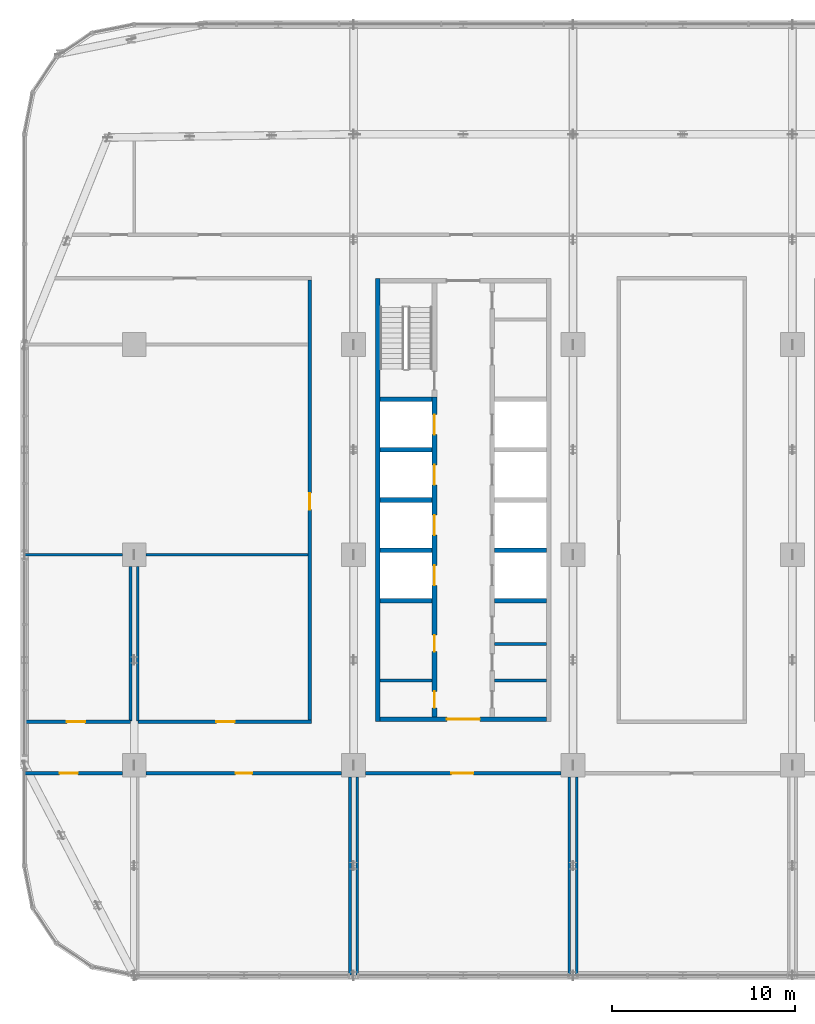
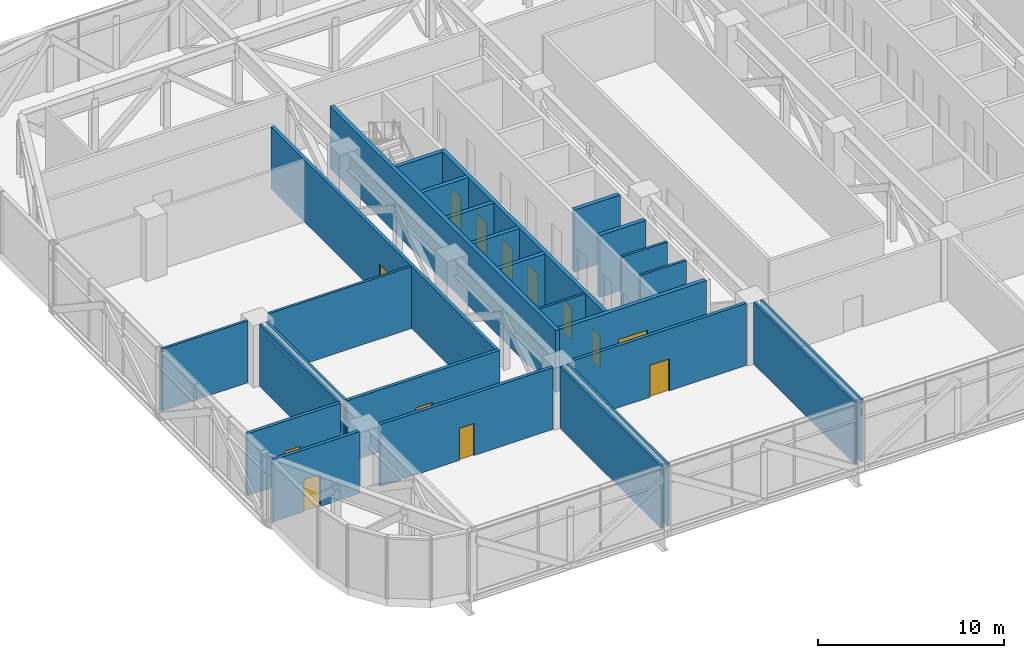
# One storey, part 16 of 30: 27 walls, 13 doors, 13 openings.
"""IFC4 building model written with IfcOpenShell, lengths in metres."""

from ifc_helpers import new_model, si_unit, direction, frame, frame_2d, origin, place, context, subcontext, project, spatial, rectangle, extrude, material, layer, layer_set, type_object, element, fill, save


model = new_model("IFC4")

# Units and contexts
model_context = context("Model", 3, precision=1e-05, world=origin(), true_north=direction((0.0, 1.0)))
body_context = subcontext(model_context, "Body", "Model", "MODEL_VIEW")
ifc_project = project(units=[si_unit("LENGTHUNIT", "METRE"), si_unit("AREAUNIT", "SQUARE_METRE"), si_unit("VOLUMEUNIT", "CUBIC_METRE"), si_unit("PLANEANGLEUNIT", "RADIAN"), si_unit("MASSUNIT", "GRAM", prefix="KILO")], contexts=[model_context])

# Site, building, storey
site_placement = place(None, origin())
site = spatial("IfcSite", under=ifc_project, at=site_placement, CompositionType="ELEMENT")
building_placement = place(site_placement, origin())
building = spatial("IfcBuilding", under=site, at=building_placement, Name="Mahtab Terrace Research Tower", CompositionType="ELEMENT")
storey_placement = place(building_placement, frame((0.0, 0.0, 154.800048828125)))
storey = spatial("IfcBuildingStorey", under=building, at=storey_placement, Name="L36", CompositionType="ELEMENT", Elevation=154.800048828125)

# Walls
ifc_material_1 = material(Name="Gypsum board partition")
ifc_layer_1 = layer(ifc_material_1, 0.14990234375)
ifc_layer_set_1 = layer_set([ifc_layer_1], Name="Core partition 150")
wall_type_1 = type_object("IfcWallType", Name="Core partition 150", PredefinedType="PARTITIONING", material=ifc_layer_set_1)
for number, where, z_axis, x_axis, name in (
    (1, (-28.550048828125, -6.875, 0.0), (0.0, 0.0, 1.0), (1.0, 0.0, 0.0), "Core wall A pWS-988"),
    (2, (-22.300048828125, -6.875, 0.0), (0.0, 0.0, 1.0), (1.0, 0.0, 0.0), "Core wall A pES-988"),
    (3, (-22.300048828125, -4.875, 0.0), (0.0, 0.0, 1.0), (1.0, 0.0, 0.0), "Core wall A pES-788"),
):
    element("IfcWall", number, at=place(storey_placement, frame(where, z_axis=z_axis, x_axis=x_axis)), inside=storey, type_object=wall_type_1, Name=name, PredefinedType="PARTITIONING", context=body_context, shape_type="SweptSolid", body=[
        extrude(rectangle(XDim=2.85009765625, YDim=0.14990234375, at=frame_2d((1.425048828125, 0.0))), origin(), (0.0, 0.0, 1.0), 4.06005859375),
    ])
ifc_material_2 = material(Name="Concrete C70/85", Category="concrete")
ifc_layer_2 = layer(ifc_material_2, 0.25)
ifc_layer_set_2 = layer_set([ifc_layer_2], Name="Core wall 250")
wall_type_2 = type_object("IfcWallType", Name="Core wall 250", PredefinedType="SOLIDWALL", material=ifc_layer_set_2)
wall_1_placement = place(storey_placement, frame((-28.675048828125, 15.125, 0.0), z_axis=(0.0, 0.0, 1.0), x_axis=(0.0, -1.0, 0.0)))
element("IfcWall", 4, at=wall_1_placement, inside=storey, type_object=wall_type_2, Name="Core wall A outerW", PredefinedType="SOLIDWALL", context=body_context, shape_type="SweptSolid", body=[
    extrude(rectangle(XDim=24.25, YDim=0.25, at=frame_2d((12.125, 0.0))), origin(), (0.0, 0.0, 1.0), 4.06005859375),
])

# Wall, opening, door
wall_2_placement = place(storey_placement, frame((-19.449951171875, -9.0, 0.0), z_axis=(0.0, 0.0, 1.0), x_axis=(-1.0, 0.0, 0.0)))
wall_2 = element("IfcWall", 5, at=wall_2_placement, inside=storey, type_object=wall_type_2, Name="Core wall A endS", PredefinedType="SOLIDWALL", context=body_context, shape_type="SweptSolid", body=[
    extrude(rectangle(XDim=9.10009765625, YDim=0.25, at=frame_2d((4.550048828125, 0.0))), origin(), (0.0, 0.0, 1.0), 4.06005859375),
])
opening_1_placement = place(wall_2_placement, frame((3.64990234375, 0.0, 0.0)))
opening_1 = element("IfcOpeningElement", 6, at=opening_1_placement, cuts=wall_2, Name="Opening A-S1", PredefinedType="OPENING", context=body_context, shape_type="SweptSolid", body=[
    extrude(rectangle(XDim=1.800048828125, YDim=2.10009765625, at=frame_2d((0.89990234375, 1.050048828125))), frame((0.0, 0.135009765625, 0.0), z_axis=(0.0, -1.0, 0.0), x_axis=(1.0, 0.0, 0.0)), (0.0, 0.0, 1.0), 0.27001953125),
])
ifc_material_3 = material(Name="Steel fire door", Category="steel")
door_type_1 = type_object("IfcDoorType", Name="Lobby double door 1800x2100 1 HR", OperationType="DOUBLE_DOOR_SINGLE_SWING", PredefinedType="DOOR", material=ifc_material_3)
door_1_placement = place(opening_1_placement, origin())
door_1 = element("IfcDoor", 7, at=door_1_placement, inside=storey, type_object=door_type_1, Name="Core entrance door A S", OperationType="DOUBLE_DOOR_SINGLE_SWING", OverallHeight=2.10009765625, OverallWidth=1.800048828125, PredefinedType="DOOR", context=body_context, shape_type="SweptSolid", body=[
    extrude(rectangle(XDim=1.800048828125, YDim=2.10009765625, at=frame_2d((0.89990234375, 1.050048828125))), frame((0.0, 0.02490234375, 0.0), z_axis=(0.0, -1.0, 0.0), x_axis=(1.0, 0.0, 0.0)), (0.0, 0.0, 1.0), 0.050048828125),
])
fill(opening_1, door_1)

# Wall, openings, doors
wall_3_placement = place(storey_placement, frame((-25.574951171875, -8.875, 0.0), z_axis=(0.0, 0.0, 1.0), x_axis=(0.0, 1.0, 0.0)))
wall_3 = element("IfcWall", 8, at=wall_3_placement, inside=storey, type_object=wall_type_2, Name="Core wall A innerWSL", PredefinedType="SOLIDWALL", context=body_context, shape_type="SweptSolid", body=[
    extrude(rectangle(XDim=17.5, YDim=0.25, at=frame_2d((8.75, 0.0))), origin(), (0.0, 0.0, 1.0), 4.06005859375),
])
opening_2_placement = place(wall_3_placement, frame((7.199951171875, 0.0, 0.0)))
opening_2 = element("IfcOpeningElement", 9, at=opening_2_placement, cuts=wall_3, Name="Opening LD01-L36", PredefinedType="OPENING", context=body_context, shape_type="SweptSolid", body=[
    extrude(rectangle(XDim=1.10009765625, YDim=2.10009765625, at=frame_2d((0.550048828125, 1.050048828125))), frame((0.0, 0.135009765625, 0.0), z_axis=(0.0, -1.0, 0.0), x_axis=(1.0, 0.0, 0.0)), (0.0, 0.0, 1.0), 0.27001953125),
])
opening_3_placement = place(wall_3_placement, frame((9.949951171875, 0.0, 0.0)))
opening_3 = element("IfcOpeningElement", 10, at=opening_3_placement, cuts=wall_3, Name="Opening LD02-L36", PredefinedType="OPENING", context=body_context, shape_type="SweptSolid", body=[
    extrude(rectangle(XDim=1.10009765625, YDim=2.10009765625, at=frame_2d((0.550048828125, 1.050048828125))), frame((0.0, 0.135009765625, 0.0), z_axis=(0.0, -1.0, 0.0), x_axis=(1.0, 0.0, 0.0)), (0.0, 0.0, 1.0), 0.27001953125),
])
opening_4_placement = place(wall_3_placement, frame((12.699951171875, 0.0, 0.0)))
opening_4 = element("IfcOpeningElement", 11, at=opening_4_placement, cuts=wall_3, Name="Opening LD03-L36", PredefinedType="OPENING", context=body_context, shape_type="SweptSolid", body=[
    extrude(rectangle(XDim=1.10009765625, YDim=2.10009765625, at=frame_2d((0.550048828125, 1.050048828125))), frame((0.0, 0.135009765625, 0.0), z_axis=(0.0, -1.0, 0.0), x_axis=(1.0, 0.0, 0.0)), (0.0, 0.0, 1.0), 0.27001953125),
])
opening_5_placement = place(wall_3_placement, frame((15.449951171875, 0.0, 0.0)))
opening_5 = element("IfcOpeningElement", 12, at=opening_5_placement, cuts=wall_3, Name="Opening LD04-L36", PredefinedType="OPENING", context=body_context, shape_type="SweptSolid", body=[
    extrude(rectangle(XDim=1.10009765625, YDim=2.10009765625, at=frame_2d((0.550048828125, 1.050048828125))), frame((0.0, 0.135009765625, 0.0), z_axis=(0.0, -1.0, 0.0), x_axis=(1.0, 0.0, 0.0)), (0.0, 0.0, 1.0), 0.27001953125),
])
opening_6_placement = place(wall_3_placement, frame((0.512451171875, 0.0, 0.0)))
opening_6 = element("IfcOpeningElement", 13, at=opening_6_placement, cuts=wall_3, Name="Opening A-R1", PredefinedType="OPENING", context=body_context, shape_type="SweptSolid", body=[
    extrude(rectangle(XDim=0.89990234375, YDim=2.10009765625, at=frame_2d((0.449951171875, 1.050048828125))), frame((0.0, 0.135009765625, 0.0), z_axis=(0.0, -1.0, 0.0), x_axis=(1.0, 0.0, 0.0)), (0.0, 0.0, 1.0), 0.27001953125),
])
opening_7_placement = place(wall_3_placement, frame((3.58740234375, 0.0, 0.0)))
opening_7 = element("IfcOpeningElement", 14, at=opening_7_placement, cuts=wall_3, Name="Opening A-R2", PredefinedType="OPENING", context=body_context, shape_type="SweptSolid", body=[
    extrude(rectangle(XDim=0.89990234375, YDim=2.10009765625, at=frame_2d((0.449951171875, 1.050048828125))), frame((0.0, 0.135009765625, 0.0), z_axis=(0.0, -1.0, 0.0), x_axis=(1.0, 0.0, 0.0)), (0.0, 0.0, 1.0), 0.27001953125),
])
ifc_material_4 = material(Name="Stainless steel AISI 304", Category="steel")
door_type_2 = type_object("IfcDoorType", Name="Landing door 1100x2100", OperationType="DOUBLE_DOOR_SLIDING", PredefinedType="DOOR", material=ifc_material_4)
door_2_placement = place(opening_2_placement, origin())
door_2 = element("IfcDoor", 15, at=door_2_placement, inside=storey, type_object=door_type_2, Name="Landing door LR1 L36", OperationType="DOUBLE_DOOR_SLIDING", OverallHeight=2.10009765625, OverallWidth=1.10009765625, PredefinedType="DOOR", context=body_context, shape_type="SweptSolid", body=[
    extrude(rectangle(XDim=1.10009765625, YDim=2.10009765625, at=frame_2d((0.550048828125, 1.050048828125))), frame((0.0, 0.02490234375, 0.0), z_axis=(0.0, -1.0, 0.0), x_axis=(1.0, 0.0, 0.0)), (0.0, 0.0, 1.0), 0.050048828125),
])
fill(opening_2, door_2)
door_3_placement = place(opening_3_placement, origin())
door_3 = element("IfcDoor", 16, at=door_3_placement, inside=storey, type_object=door_type_2, Name="Landing door LR2 L36", OperationType="DOUBLE_DOOR_SLIDING", OverallHeight=2.10009765625, OverallWidth=1.10009765625, PredefinedType="DOOR", context=body_context, shape_type="SweptSolid", body=[
    extrude(rectangle(XDim=1.10009765625, YDim=2.10009765625, at=frame_2d((0.550048828125, 1.050048828125))), frame((0.0, 0.02490234375, 0.0), z_axis=(0.0, -1.0, 0.0), x_axis=(1.0, 0.0, 0.0)), (0.0, 0.0, 1.0), 0.050048828125),
])
fill(opening_3, door_3)
door_4_placement = place(opening_4_placement, origin())
door_4 = element("IfcDoor", 17, at=door_4_placement, inside=storey, type_object=door_type_2, Name="Landing door LR3 L36", OperationType="DOUBLE_DOOR_SLIDING", OverallHeight=2.10009765625, OverallWidth=1.10009765625, PredefinedType="DOOR", context=body_context, shape_type="SweptSolid", body=[
    extrude(rectangle(XDim=1.10009765625, YDim=2.10009765625, at=frame_2d((0.550048828125, 1.050048828125))), frame((0.0, 0.02490234375, 0.0), z_axis=(0.0, -1.0, 0.0), x_axis=(1.0, 0.0, 0.0)), (0.0, 0.0, 1.0), 0.050048828125),
])
fill(opening_4, door_4)
door_5_placement = place(opening_5_placement, origin())
door_5 = element("IfcDoor", 18, at=door_5_placement, inside=storey, type_object=door_type_2, Name="Landing door LR4 L36", OperationType="DOUBLE_DOOR_SLIDING", OverallHeight=2.10009765625, OverallWidth=1.10009765625, PredefinedType="DOOR", context=body_context, shape_type="SweptSolid", body=[
    extrude(rectangle(XDim=1.10009765625, YDim=2.10009765625, at=frame_2d((0.550048828125, 1.050048828125))), frame((0.0, 0.02490234375, 0.0), z_axis=(0.0, -1.0, 0.0), x_axis=(1.0, 0.0, 0.0)), (0.0, 0.0, 1.0), 0.050048828125),
])
fill(opening_5, door_5)
door_type_3 = type_object("IfcDoorType", Name="Room door 900x2100 1 HR", OperationType="NOTDEFINED", PredefinedType="DOOR", material=ifc_material_3)
door_6_placement = place(opening_6_placement, origin())
door_6 = element("IfcDoor", 19, at=door_6_placement, inside=storey, type_object=door_type_3, Name="Accessible WC door", OperationType="SINGLE_SWING_LEFT", OverallHeight=2.10009765625, OverallWidth=0.89990234375, PredefinedType="DOOR", context=body_context, shape_type="SweptSolid", body=[
    extrude(rectangle(XDim=0.89990234375, YDim=2.10009765625, at=frame_2d((0.449951171875, 1.050048828125))), frame((0.0, 0.02490234375, 0.0), z_axis=(0.0, -1.0, 0.0), x_axis=(1.0, 0.0, 0.0)), (0.0, 0.0, 1.0), 0.050048828125),
])
fill(opening_6, door_6)
door_7_placement = place(opening_7_placement, origin())
door_7 = element("IfcDoor", 20, at=door_7_placement, inside=storey, type_object=door_type_3, Name="WC block door", OperationType="SINGLE_SWING_RIGHT", OverallHeight=2.10009765625, OverallWidth=0.89990234375, PredefinedType="DOOR", context=body_context, shape_type="SweptSolid", body=[
    extrude(rectangle(XDim=0.89990234375, YDim=2.10009765625, at=frame_2d((0.449951171875, 1.050048828125))), frame((0.0, 0.02490234375, 0.0), z_axis=(0.0, -1.0, 0.0), x_axis=(1.0, 0.0, 0.0)), (0.0, 0.0, 1.0), 0.050048828125),
])
fill(opening_7, door_7)

# Walls
for number, where, z_axis, x_axis, name in (
    (21, (-28.550048828125, -2.5, 0.0), (0.0, 0.0, 1.0), (1.0, 0.0, 0.0), "Core wall A divW0"),
    (22, (-28.550048828125, 0.25, 0.0), (0.0, 0.0, 1.0), (1.0, 0.0, 0.0), "Core wall A divW1"),
    (23, (-28.550048828125, 3.0, 0.0), (0.0, 0.0, 1.0), (1.0, 0.0, 0.0), "Core wall A divW2"),
    (24, (-28.550048828125, 5.75, 0.0), (0.0, 0.0, 1.0), (1.0, 0.0, 0.0), "Core wall A divW3"),
    (25, (-28.550048828125, 8.5, 0.0), (0.0, 0.0, 1.0), (1.0, 0.0, 0.0), "Core wall A divW4"),
    (26, (-22.300048828125, -2.5, 0.0), (0.0, 0.0, 1.0), (1.0, 0.0, 0.0), "Core wall A divE0"),
    (27, (-22.300048828125, 0.25, 0.0), (0.0, 0.0, 1.0), (1.0, 0.0, 0.0), "Core wall A divE1"),
):
    element("IfcWall", number, at=place(storey_placement, frame(where, z_axis=z_axis, x_axis=x_axis)), inside=storey, type_object=wall_type_2, Name=name, PredefinedType="SOLIDWALL", context=body_context, shape_type="SweptSolid", body=[
        extrude(rectangle(XDim=2.85009765625, YDim=0.25, at=frame_2d((1.425048828125, 0.0))), origin(), (0.0, 0.0, 1.0), 4.06005859375),
    ])

# Wall, opening, door
ifc_material_5 = material(Name="Gypsum board corridor wall on steel studs", Category="steel")
ifc_layer_3 = layer(ifc_material_5, 0.199951171875)
ifc_layer_set_3 = layer_set([ifc_layer_3], Name="WALL CORRIDOR 200")
wall_type_3 = type_object("IfcWallType", Name="WALL CORRIDOR 200", PredefinedType="PARTITIONING", material=ifc_layer_set_3)
wall_4_placement = place(storey_placement, frame((-47.97509765625, -11.949951171875, 0.0), z_axis=(0.0, 0.0, 1.0), x_axis=(1.0, 0.0, 0.0)))
wall_4 = element("IfcWall", 28, at=wall_4_placement, inside=storey, type_object=wall_type_3, Name="L36-W001", PredefinedType="PARTITIONING", context=body_context, shape_type="SweptSolid", body=[
    extrude(rectangle(XDim=5.3251953125, YDim=0.199951171875, at=frame_2d((2.66259765625, 0.0))), origin(), (0.0, 0.0, 1.0), 4.06005859375),
])
opening_8_placement = place(wall_4_placement, frame((1.89990234375, 0.0, 0.0)))
opening_8 = element("IfcOpeningElement", 29, at=opening_8_placement, cuts=wall_4, Name="Opening L36-101", PredefinedType="OPENING", context=body_context, shape_type="SweptSolid", body=[
    extrude(rectangle(XDim=1.0, YDim=2.10009765625, at=frame_2d((0.5, 1.050048828125))), frame((0.0, 0.10986328125, 0.0), z_axis=(0.0, -1.0, 0.0), x_axis=(1.0, 0.0, 0.0)), (0.0, 0.0, 1.0), 0.219970703125),
])
ifc_material_6 = material(Name="Timber door leaf in steel frame", Category="steel")
door_type_4 = type_object("IfcDoorType", Name="DOOR 1000X2100 FD30S", OperationType="SINGLE_SWING_LEFT", PredefinedType="DOOR", material=ifc_material_6)
door_8_placement = place(opening_8_placement, origin())
door_8 = element("IfcDoor", 30, at=door_8_placement, inside=storey, type_object=door_type_4, Name="Door L36-101", OperationType="SINGLE_SWING_RIGHT", OverallHeight=2.10009765625, OverallWidth=1.0, PredefinedType="DOOR", context=body_context, shape_type="SweptSolid", body=[
    extrude(rectangle(XDim=1.0, YDim=2.10009765625, at=frame_2d((0.5, 1.050048828125))), frame((0.0, 0.02490234375, 0.0), z_axis=(0.0, -1.0, 0.0), x_axis=(1.0, 0.0, 0.0)), (0.0, 0.0, 1.0), 0.050048828125),
])
fill(opening_8, door_8)

wall_5_placement = place(storey_placement, frame((-41.35009765625, -11.949951171875, 0.0), z_axis=(0.0, 0.0, 1.0), x_axis=(1.0, 0.0, 0.0)))
wall_5 = element("IfcWall", 31, at=wall_5_placement, inside=storey, type_object=wall_type_3, Name="L36-W002", PredefinedType="PARTITIONING", context=body_context, shape_type="SweptSolid", body=[
    extrude(rectangle(XDim=10.7001953125, YDim=0.199951171875, at=frame_2d((5.35009765625, 0.0))), origin(), (0.0, 0.0, 1.0), 4.06005859375),
])
opening_9_placement = place(wall_5_placement, frame((4.89990234375, 0.0, 0.0)))
opening_9 = element("IfcOpeningElement", 32, at=opening_9_placement, cuts=wall_5, Name="Opening L36-102", PredefinedType="OPENING", context=body_context, shape_type="SweptSolid", body=[
    extrude(rectangle(XDim=0.89990234375, YDim=2.10009765625, at=frame_2d((0.449951171875, 1.050048828125))), frame((0.0, 0.10986328125, 0.0), z_axis=(0.0, -1.0, 0.0), x_axis=(1.0, 0.0, 0.0)), (0.0, 0.0, 1.0), 0.219970703125),
])
door_type_5 = type_object("IfcDoorType", Name="DOOR 0900X2100 FD30S", OperationType="SINGLE_SWING_LEFT", PredefinedType="DOOR", material=ifc_material_6)
door_9_placement = place(opening_9_placement, origin())
door_9 = element("IfcDoor", 33, at=door_9_placement, inside=storey, type_object=door_type_5, Name="Door L36-102", OperationType="SINGLE_SWING_RIGHT", OverallHeight=2.10009765625, OverallWidth=0.89990234375, PredefinedType="DOOR", context=body_context, shape_type="SweptSolid", body=[
    extrude(rectangle(XDim=0.89990234375, YDim=2.10009765625, at=frame_2d((0.449951171875, 1.050048828125))), frame((0.0, 0.02490234375, 0.0), z_axis=(0.0, -1.0, 0.0), x_axis=(1.0, 0.0, 0.0)), (0.0, 0.0, 1.0), 0.050048828125),
])
fill(opening_9, door_9)

wall_6_placement = place(storey_placement, frame((-29.35009765625, -11.949951171875, 0.0), z_axis=(0.0, 0.0, 1.0), x_axis=(1.0, 0.0, 0.0)))
wall_6 = element("IfcWall", 34, at=wall_6_placement, inside=storey, type_object=wall_type_3, Name="L36-W003", PredefinedType="PARTITIONING", context=body_context, shape_type="SweptSolid", body=[
    extrude(rectangle(XDim=10.7001953125, YDim=0.199951171875, at=frame_2d((5.35009765625, 0.0))), origin(), (0.0, 0.0, 1.0), 4.06005859375),
])
opening_10_placement = place(wall_6_placement, frame((4.699951171875, 0.0, 0.0)))
opening_10 = element("IfcOpeningElement", 35, at=opening_10_placement, cuts=wall_6, Name="Opening L36-103", PredefinedType="OPENING", context=body_context, shape_type="SweptSolid", body=[
    extrude(rectangle(XDim=1.199951171875, YDim=2.10009765625, at=frame_2d((0.60009765625, 1.050048828125))), frame((0.0, 0.10986328125, 0.0), z_axis=(0.0, -1.0, 0.0), x_axis=(1.0, 0.0, 0.0)), (0.0, 0.0, 1.0), 0.219970703125),
])
door_type_6 = type_object("IfcDoorType", Name="DOOR 1200X2100 FD30S", OperationType="SINGLE_SWING_LEFT", PredefinedType="DOOR", material=ifc_material_6)
door_10_placement = place(opening_10_placement, origin())
door_10 = element("IfcDoor", 36, at=door_10_placement, inside=storey, type_object=door_type_6, Name="Door L36-103", OperationType="SINGLE_SWING_RIGHT", OverallHeight=2.10009765625, OverallWidth=1.199951171875, PredefinedType="DOOR", context=body_context, shape_type="SweptSolid", body=[
    extrude(rectangle(XDim=1.199951171875, YDim=2.10009765625, at=frame_2d((0.60009765625, 1.050048828125))), frame((0.0, 0.02490234375, 0.0), z_axis=(0.0, -1.0, 0.0), x_axis=(1.0, 0.0, 0.0)), (0.0, 0.0, 1.0), 0.050048828125),
])
fill(opening_10, door_10)

wall_7_placement = place(storey_placement, frame((-47.97509765625, -9.125, 0.0), z_axis=(0.0, 0.0, 1.0), x_axis=(1.0, 0.0, 0.0)))
wall_7 = element("IfcWall", 37, at=wall_7_placement, inside=storey, type_object=wall_type_3, Name="L36-W010", PredefinedType="PARTITIONING", context=body_context, shape_type="SweptSolid", body=[
    extrude(rectangle(XDim=5.775146484375, YDim=0.199951171875, at=frame_2d((2.8876953125, 0.0))), origin(), (0.0, 0.0, 1.0), 4.06005859375),
])
opening_11_placement = place(wall_7_placement, frame((2.300048828125, 0.0, 0.0)))
opening_11 = element("IfcOpeningElement", 38, at=opening_11_placement, cuts=wall_7, Name="Opening L36-110", PredefinedType="OPENING", context=body_context, shape_type="SweptSolid", body=[
    extrude(rectangle(XDim=1.0, YDim=2.10009765625, at=frame_2d((0.5, 1.050048828125))), frame((0.0, 0.10986328125, 0.0), z_axis=(0.0, -1.0, 0.0), x_axis=(1.0, 0.0, 0.0)), (0.0, 0.0, 1.0), 0.219970703125),
])
door_11_placement = place(opening_11_placement, origin())
door_11 = element("IfcDoor", 39, at=door_11_placement, inside=storey, type_object=door_type_4, Name="Door L36-110", OperationType="SINGLE_SWING_LEFT", OverallHeight=2.10009765625, OverallWidth=1.0, PredefinedType="DOOR", context=body_context, shape_type="SweptSolid", body=[
    extrude(rectangle(XDim=1.0, YDim=2.10009765625, at=frame_2d((0.5, 1.050048828125))), frame((0.0, 0.02490234375, 0.0), z_axis=(0.0, -1.0, 0.0), x_axis=(1.0, 0.0, 0.0)), (0.0, 0.0, 1.0), 0.050048828125),
])
fill(opening_11, door_11)

wall_8_placement = place(storey_placement, frame((-41.800048828125, -9.125, 0.0), z_axis=(0.0, 0.0, 1.0), x_axis=(1.0, 0.0, 0.0)))
wall_8 = element("IfcWall", 40, at=wall_8_placement, inside=storey, type_object=wall_type_3, Name="L36-W011", PredefinedType="PARTITIONING", context=body_context, shape_type="SweptSolid", body=[
    extrude(rectangle(XDim=9.5, YDim=0.199951171875, at=frame_2d((4.75, 0.0))), origin(), (0.0, 0.0, 1.0), 4.06005859375),
])
opening_12_placement = place(wall_8_placement, frame((4.300048828125, 0.0, 0.0)))
opening_12 = element("IfcOpeningElement", 41, at=opening_12_placement, cuts=wall_8, Name="Opening L36-111", PredefinedType="OPENING", context=body_context, shape_type="SweptSolid", body=[
    extrude(rectangle(XDim=1.0, YDim=2.10009765625, at=frame_2d((0.5, 1.050048828125))), frame((0.0, 0.10986328125, 0.0), z_axis=(0.0, -1.0, 0.0), x_axis=(1.0, 0.0, 0.0)), (0.0, 0.0, 1.0), 0.219970703125),
])
door_12_placement = place(opening_12_placement, origin())
door_12 = element("IfcDoor", 42, at=door_12_placement, inside=storey, type_object=door_type_4, Name="Door L36-111", OperationType="SINGLE_SWING_RIGHT", OverallHeight=2.10009765625, OverallWidth=1.0, PredefinedType="DOOR", context=body_context, shape_type="SweptSolid", body=[
    extrude(rectangle(XDim=1.0, YDim=2.10009765625, at=frame_2d((0.5, 1.050048828125))), frame((0.0, 0.02490234375, 0.0), z_axis=(0.0, -1.0, 0.0), x_axis=(1.0, 0.0, 0.0)), (0.0, 0.0, 1.0), 0.050048828125),
])
fill(opening_12, door_12)

wall_9_placement = place(storey_placement, frame((-32.39990234375, -9.02490234375, 0.0), z_axis=(0.0, 0.0, 1.0), x_axis=(0.0, 1.0, 0.0)))
wall_9 = element("IfcWall", 43, at=wall_9_placement, inside=storey, type_object=wall_type_3, Name="L36-W038", PredefinedType="PARTITIONING", context=body_context, shape_type="SweptSolid", body=[
    extrude(rectangle(XDim=24.0498046875, YDim=0.199951171875, at=frame_2d((12.02490234375, 0.0))), origin(), (0.0, 0.0, 1.0), 4.06005859375),
])
opening_13_placement = place(wall_9_placement, frame((11.5, 0.0, 0.0)))
opening_13 = element("IfcOpeningElement", 44, at=opening_13_placement, cuts=wall_9, Name="Opening L36-114", PredefinedType="OPENING", context=body_context, shape_type="SweptSolid", body=[
    extrude(rectangle(XDim=0.89990234375, YDim=2.10009765625, at=frame_2d((0.449951171875, 1.050048828125))), frame((0.0, 0.10986328125, 0.0), z_axis=(0.0, -1.0, 0.0), x_axis=(1.0, 0.0, 0.0)), (0.0, 0.0, 1.0), 0.219970703125),
])
door_13_placement = place(opening_13_placement, origin())
door_13 = element("IfcDoor", 45, at=door_13_placement, inside=storey, type_object=door_type_5, Name="Door L36-114", OperationType="SINGLE_SWING_LEFT", OverallHeight=2.10009765625, OverallWidth=0.89990234375, PredefinedType="DOOR", context=body_context, shape_type="SweptSolid", body=[
    extrude(rectangle(XDim=0.89990234375, YDim=2.10009765625, at=frame_2d((0.449951171875, 1.050048828125))), frame((0.0, 0.02490234375, 0.0), z_axis=(0.0, -1.0, 0.0), x_axis=(1.0, 0.0, 0.0)), (0.0, 0.0, 1.0), 0.050048828125),
])
fill(opening_13, door_13)

# Walls
ifc_material_7 = material(Name="Gypsum board partition on steel studs", Category="steel")
ifc_layer_4 = layer(ifc_material_7, 0.14990234375)
ifc_layer_set_4 = layer_set([ifc_layer_4], Name="WALL PARTITION 150")
wall_type_4 = type_object("IfcWallType", Name="WALL PARTITION 150", PredefinedType="PARTITIONING", material=ifc_layer_set_4)
wall_10_placement = place(storey_placement, frame((-47.97509765625, 0.0, 0.0), z_axis=(0.0, 0.0, 1.0), x_axis=(1.0, 0.0, 0.0)))
element("IfcWall", 46, at=wall_10_placement, inside=storey, type_object=wall_type_4, Name="L36-W016", PredefinedType="PARTITIONING", context=body_context, shape_type="SweptSolid", body=[
    extrude(rectangle(XDim=5.3251953125, YDim=0.14990234375, at=frame_2d((2.66259765625, 0.0))), origin(), (0.0, 0.0, 1.0), 4.06005859375),
])
wall_11_placement = place(storey_placement, frame((-41.35009765625, 0.0, 0.0), z_axis=(0.0, 0.0, 1.0), x_axis=(1.0, 0.0, 0.0)))
element("IfcWall", 47, at=wall_11_placement, inside=storey, type_object=wall_type_4, Name="L36-W017", PredefinedType="PARTITIONING", context=body_context, shape_type="SweptSolid", body=[
    extrude(rectangle(XDim=8.85009765625, YDim=0.14990234375, at=frame_2d((4.425048828125, 0.0))), origin(), (0.0, 0.0, 1.0), 4.06005859375),
])
for number, where, z_axis, x_axis, name in (
    (48, (-42.199951171875, -9.074951171875, 0.0), (0.0, 0.0, 1.0), (0.0, 1.0, 0.0), "L36-W034"),
    (49, (-41.800048828125, -9.074951171875, 0.0), (0.0, 0.0, 1.0), (0.0, 1.0, 0.0), "L36-W037"),
):
    element("IfcWall", number, at=place(storey_placement, frame(where, z_axis=z_axis, x_axis=x_axis)), inside=storey, type_object=wall_type_4, Name=name, PredefinedType="PARTITIONING", context=body_context, shape_type="SweptSolid", body=[
        extrude(rectangle(XDim=8.425048828125, YDim=0.14990234375, at=frame_2d((4.21240234375, 0.0))), origin(), (0.0, 0.0, 1.0), 4.06005859375),
    ])
for number, where, z_axis, x_axis, name in (
    (50, (-30.199951171875, -22.97509765625, 0.0), (0.0, 0.0, 1.0), (0.0, 1.0, 0.0), "L36-W039"),
    (51, (-29.800048828125, -22.97509765625, 0.0), (0.0, 0.0, 1.0), (0.0, 1.0, 0.0), "L36-W040"),
    (52, (-18.199951171875, -22.97509765625, 0.0), (0.0, 0.0, 1.0), (0.0, 1.0, 0.0), "L36-W041"),
    (53, (-17.800048828125, -22.97509765625, 0.0), (0.0, 0.0, 1.0), (0.0, 1.0, 0.0), "L36-W042"),
):
    element("IfcWall", number, at=place(storey_placement, frame(where, z_axis=z_axis, x_axis=x_axis)), inside=storey, type_object=wall_type_4, Name=name, PredefinedType="PARTITIONING", context=body_context, shape_type="SweptSolid", body=[
        extrude(rectangle(XDim=10.8251953125, YDim=0.14990234375, at=frame_2d((5.41259765625, 0.0))), origin(), (0.0, 0.0, 1.0), 4.06005859375),
    ])

save(model, "model.ifc")
